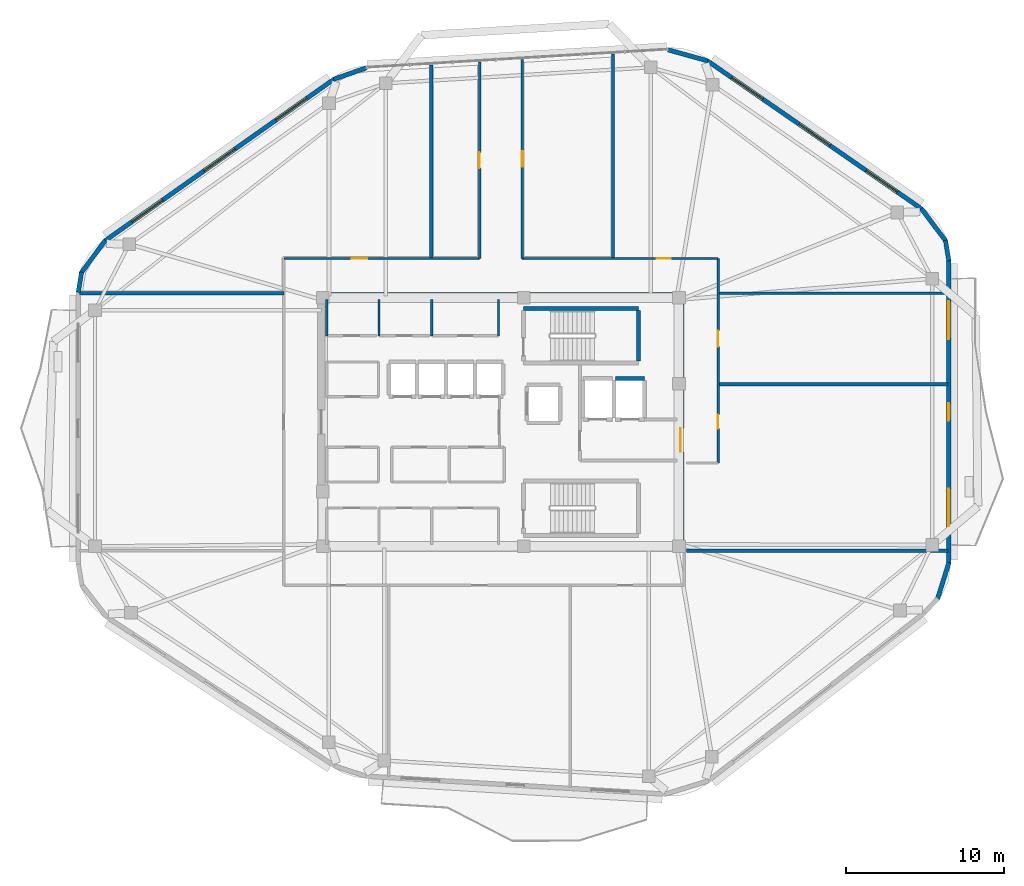
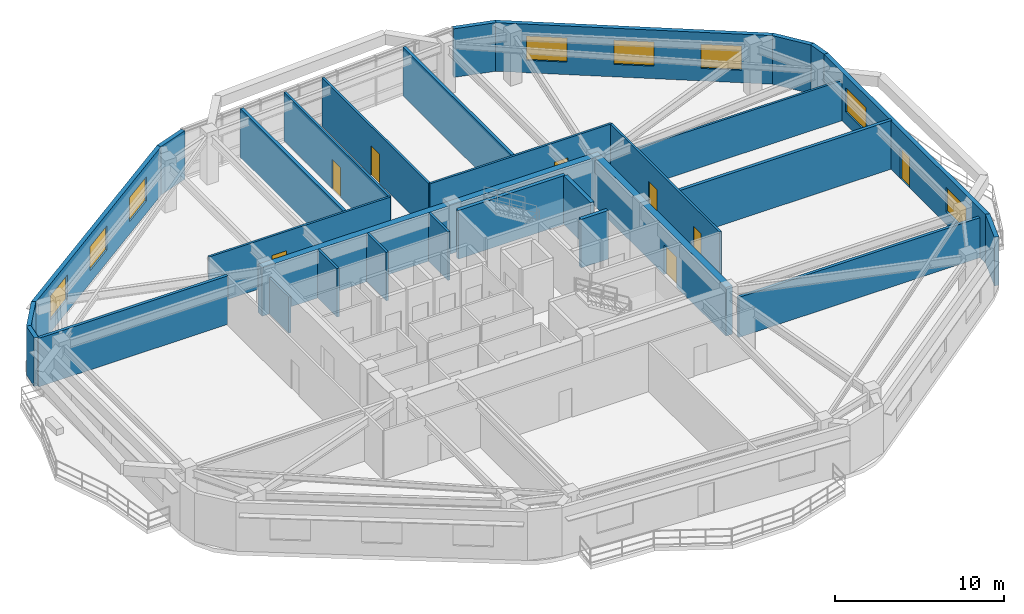
# One storey, part 8 of 12: 30 walls, 8 doors, 8 windows, 16 openings.
"""IFC4 building model written with IfcOpenShell, lengths in metres."""

from ifc_helpers import new_model, si_unit, direction, frame, frame_2d, origin, place, context, subcontext, project, spatial, rectangle, extrude, material, layer, layer_set, type_object, element, fill, save


model = new_model("IFC4")

# Units and contexts
model_context = context("Model", 3, precision=1e-05, world=origin(), true_north=direction((0.0, 1.0)))
body_context = subcontext(model_context, "Body", "Model", "MODEL_VIEW")
ifc_project = project(units=[si_unit("LENGTHUNIT", "METRE"), si_unit("AREAUNIT", "SQUARE_METRE"), si_unit("VOLUMEUNIT", "CUBIC_METRE"), si_unit("PLANEANGLEUNIT", "RADIAN"), si_unit("MASSUNIT", "GRAM", prefix="KILO")], contexts=[model_context])

# Site, building, storey
site_placement = place(None, origin())
site = spatial("IfcSite", under=ifc_project, at=site_placement, CompositionType="ELEMENT")
building_placement = place(site_placement, origin())
building = spatial("IfcBuilding", under=site, at=building_placement, Name="Zulverin Broadcast Headquarters", CompositionType="ELEMENT")
storey_placement = place(building_placement, frame((0.0, 0.0, 240.199951171875)))
storey = spatial("IfcBuildingStorey", under=building, at=storey_placement, Name="L61", CompositionType="ELEMENT", Elevation=240.199951171875)

# Walls
ifc_material_1 = material(Name="Acoustic drywall steel stud", Category="steel")
ifc_layer_1 = layer(ifc_material_1, 0.199951171875, Name="Acoustic drywall steel stud", Category="steel")
ifc_layer_set_1 = layer_set([ifc_layer_1], Name="Acoustic drywall steel stud")
wall_type_1 = type_object("IfcWallType", Name="WL-ACOU-200", PredefinedType="PARTITIONING", material=ifc_layer_set_1)
wall_1_placement = place(storey_placement, frame((44.10009765625, 35.550048828125, 0.0), z_axis=(0.0, 0.0, 1.0), x_axis=(0.0, 1.0, 0.0)))
element("IfcWall", 1, at=wall_1_placement, inside=storey, type_object=wall_type_1, Name="L61 Room Partition Wall RP-03", PredefinedType="PARTITIONING", context=body_context, shape_type="SweptSolid", body=[
    extrude(rectangle(XDim=12.95263671875, YDim=0.199951171875, at=frame_2d((6.476318359375, 0.0))), origin(), (0.0, 0.0, 1.0), 3.510009765625),
])
wall_2_placement = place(storey_placement, frame((48.739990234375, 17.050048828125, 0.0), z_axis=(0.0, 0.0, 1.0), x_axis=(1.0, 0.0, 0.0)))
element("IfcWall", 2, at=wall_2_placement, inside=storey, type_object=wall_type_1, Name="L61 Room Partition Wall RP-12", PredefinedType="PARTITIONING", context=body_context, shape_type="SweptSolid", body=[
    extrude(rectangle(XDim=16.554931640625, YDim=0.199951171875, at=frame_2d((8.27734375, 0.0))), origin(), (0.0, 0.0, 1.0), 2.892822265625),
])
wall_3_placement = place(storey_placement, frame((10.304931640625, 33.35009765625, 0.0), z_axis=(0.0, 0.0, 1.0), x_axis=(1.0, 0.0, 0.0)))
element("IfcWall", 3, at=wall_3_placement, inside=storey, type_object=wall_type_1, Name="L61 Room Partition Wall RP-15", PredefinedType="PARTITIONING", context=body_context, shape_type="SweptSolid", body=[
    extrude(rectangle(XDim=12.945068359375, YDim=0.199951171875, at=frame_2d((6.47265625, 0.0))), origin(), (0.0, 0.0, 1.0), 3.510009765625),
])
ifc_material_2 = material(Name="Double-stud acoustic drywall", Category="gypsum")
ifc_layer_2 = layer(ifc_material_2, 0.219970703125, Name="Double-stud acoustic drywall", Category="gypsum")
ifc_layer_set_2 = layer_set([ifc_layer_2], Name="Double-stud acoustic drywall")
wall_type_2 = type_object("IfcWallType", Name="WL-ACOU-220", PredefinedType="PARTITIONING", material=ifc_layer_set_2)
wall_4_placement = place(storey_placement, frame((32.60009765625, 35.550048828125, 0.0), z_axis=(0.0, 0.0, 1.0), x_axis=(0.0, 1.0, 0.0)))
element("IfcWall", 4, at=wall_4_placement, inside=storey, type_object=wall_type_2, Name="L61 Room Partition Wall RP-07", PredefinedType="PARTITIONING", context=body_context, shape_type="SweptSolid", body=[
    extrude(rectangle(XDim=12.26220703125, YDim=0.219970703125, at=frame_2d((6.131103515625, 0.0))), origin(), (0.0, 0.0, 1.0), 3.510009765625),
])
wall_5_placement = place(storey_placement, frame((50.7509765625, 27.60009765625, 0.0), z_axis=(0.0, 0.0, 1.0), x_axis=(1.0, 0.0, 0.0)))
element("IfcWall", 5, at=wall_5_placement, inside=storey, type_object=wall_type_2, Name="L61 Room Partition Wall RP-14", PredefinedType="PARTITIONING", context=body_context, shape_type="SweptSolid", body=[
    extrude(rectangle(XDim=14.5439453125, YDim=0.219970703125, at=frame_2d((7.27197265625, 0.0))), origin(), (0.0, 0.0, 1.0), 3.510009765625),
])
ifc_material_3 = material(Name="Concrete C50/60", Category="concrete")
ifc_layer_3 = layer(ifc_material_3, 0.449951171875, Name="Concrete C50/60", Category="concrete")
ifc_layer_set_3 = layer_set([ifc_layer_3], Name="Concrete C50/60")
wall_type_3 = type_object("IfcWallType", Name="WL-CORE-450", PredefinedType="SHEAR", material=ifc_layer_set_3)
wall_6_placement = place(storey_placement, frame((25.39990234375, 33.175048828125, 0.0), z_axis=(0.0, 0.0, 1.0), x_axis=(1.0, 0.0, 0.0)))
element("IfcWall", 6, at=wall_6_placement, inside=storey, type_object=wall_type_3, Name="L61 Core North Shear Wall", PredefinedType="SHEAR", context=body_context, shape_type="SweptSolid", body=[
    extrude(rectangle(XDim=23.2001953125, YDim=0.449951171875, at=frame_2d((11.60009765625, 0.0))), origin(), (0.0, 0.0, 1.0), 3.510009765625),
])

# Wall, opening, door
wall_7_placement = place(storey_placement, frame((48.375, 17.449951171875, 0.0), z_axis=(0.0, 0.0, 1.0), x_axis=(0.0, 1.0, 0.0)))
wall_7 = element("IfcWall", 7, at=wall_7_placement, inside=storey, type_object=wall_type_3, Name="L61 Core East Shear Wall", PredefinedType="SHEAR", context=body_context, shape_type="SweptSolid", body=[
    extrude(rectangle(XDim=15.5, YDim=0.449951171875, at=frame_2d((7.75, 0.0))), origin(), (0.0, 0.0, 1.0), 3.510009765625),
])
opening_1_placement = place(wall_7_placement, frame((5.85009765625, 0.0, 0.0)))
opening_1 = element("IfcOpeningElement", 8, at=opening_1_placement, cuts=wall_7, Name="Opening D-L61-CE1", PredefinedType="OPENING", context=body_context, shape_type="SweptSolid", body=[
    extrude(rectangle(XDim=1.5, YDim=2.14990234375, at=frame_2d((0.75, 1.074951171875))), frame((0.0, 0.23486328125, 0.0), z_axis=(0.0, -1.0, 0.0), x_axis=(1.0, 0.0, 0.0)), (0.0, 0.0, 1.0), 0.469970703125),
])
ifc_material_4 = material(Name="Fire-rated glazed steel frame", Category="steel")
door_type_1 = type_object("IfcDoorType", Name="DR-COR-1500", OperationType="DOUBLE_DOOR_SINGLE_SWING", PredefinedType="DOOR", material=ifc_material_4)
door_1_placement = place(opening_1_placement, origin())
door_1 = element("IfcDoor", 9, at=door_1_placement, inside=storey, type_object=door_type_1, Name="L61 Firefighting Lobby East Corridor Door", OperationType="DOUBLE_DOOR_SINGLE_SWING", OverallHeight=2.14990234375, OverallWidth=1.5, PredefinedType="DOOR", context=body_context, shape_type="SweptSolid", body=[
    extrude(rectangle(XDim=1.5, YDim=2.14990234375, at=frame_2d((0.75, 1.074951171875))), frame((0.0, 0.02490234375, 0.0), z_axis=(0.0, -1.0, 0.0), x_axis=(1.0, 0.0, 0.0)), (0.0, 0.0, 1.0), 0.050048828125),
])
fill(opening_1, door_1)

# Wall, openings, door, windows
ifc_material_5 = material(Name="Insulated pale-metal clad concrete spandrel C40/50", Category="concrete")
ifc_layer_4 = layer(ifc_material_5, 0.280029296875, Name="Insulated pale-metal clad concrete spandrel C40/50", Category="concrete")
ifc_layer_set_4 = layer_set([ifc_layer_4], Name="Insulated pale-metal clad concrete spandrel C40/50")
wall_type_4 = type_object("IfcWallType", Name="WL-EXT-280", PredefinedType="STANDARD", material=ifc_layer_set_4)
wall_8_placement = place(storey_placement, frame((65.360107421875, 16.2578125, 0.0), z_axis=(0.0, 0.0, 1.0), x_axis=(0.0, 1.0, 0.0)))
wall_8 = element("IfcWall", 10, at=wall_8_placement, inside=storey, type_object=wall_type_4, Name="L61 Pale-Metal Clad Spandrel Wall 3", PredefinedType="STANDARD", context=body_context, shape_type="SweptSolid", body=[
    extrude(rectangle(XDim=19.16796875, YDim=0.280029296875, at=frame_2d((9.583984375, 0.0))), origin(), (0.0, 0.0, 1.0), 3.510009765625),
])
opening_2_placement = place(wall_8_placement, frame((9.033935546875, 0.0, 0.0)))
opening_2 = element("IfcOpeningElement", 11, at=opening_2_placement, cuts=wall_8, Name="Opening D-L61-TR3", PredefinedType="OPENING", context=body_context, shape_type="SweptSolid", body=[
    extrude(rectangle(XDim=1.10009765625, YDim=2.199951171875, at=frame_2d((0.550048828125, 1.10009765625))), frame((0.0, 0.14990234375, 0.0), z_axis=(0.0, -1.0, 0.0), x_axis=(1.0, 0.0, 0.0)), (0.0, 0.0, 1.0), 0.300048828125),
])
opening_3_placement = place(wall_8_placement, frame((2.327880859375, 0.0, 0.89990234375)))
opening_3 = element("IfcOpeningElement", 12, at=opening_3_placement, cuts=wall_8, Name="Opening W-L61-E31", PredefinedType="OPENING", context=body_context, shape_type="SweptSolid", body=[
    extrude(rectangle(XDim=2.39990234375, YDim=1.75, at=frame_2d((1.199951171875, 0.875))), frame((0.0, 0.14990234375, 0.0), z_axis=(0.0, -1.0, 0.0), x_axis=(1.0, 0.0, 0.0)), (0.0, 0.0, 1.0), 0.300048828125),
])
opening_4_placement = place(wall_8_placement, frame((14.18994140625, 0.0, 0.89990234375)))
opening_4 = element("IfcOpeningElement", 13, at=opening_4_placement, cuts=wall_8, Name="Opening W-L61-E32", PredefinedType="OPENING", context=body_context, shape_type="SweptSolid", body=[
    extrude(rectangle(XDim=2.39990234375, YDim=1.75, at=frame_2d((1.199951171875, 0.875))), frame((0.0, 0.14990234375, 0.0), z_axis=(0.0, -1.0, 0.0), x_axis=(1.0, 0.0, 0.0)), (0.0, 0.0, 1.0), 0.300048828125),
])
ifc_material_6 = material(Name="Thermally broken aluminium glazed", Category="aluminium")
door_type_2 = type_object("IfcDoorType", Name="DR-TERR-1100", OperationType="SINGLE_SWING_RIGHT", PredefinedType="DOOR", material=ifc_material_6)
door_2_placement = place(opening_2_placement, origin())
door_2 = element("IfcDoor", 14, at=door_2_placement, inside=storey, type_object=door_type_2, Name="L61 Planted Terrace Glazed Access Door 3", OperationType="SINGLE_SWING_RIGHT", OverallHeight=2.199951171875, OverallWidth=1.10009765625, PredefinedType="DOOR", context=body_context, shape_type="SweptSolid", body=[
    extrude(rectangle(XDim=1.10009765625, YDim=2.199951171875, at=frame_2d((0.550048828125, 1.10009765625))), frame((0.0, 0.02490234375, 0.0), z_axis=(0.0, -1.0, 0.0), x_axis=(1.0, 0.0, 0.0)), (0.0, 0.0, 1.0), 0.050048828125),
])
fill(opening_2, door_2)
ifc_material_7 = material(Name="Pale anodized aluminium frame with solar-control low-E double glazing", Category="aluminium")
window_type = type_object("IfcWindowType", Name="WIN-RIB-2400", PartitioningType="SINGLE_PANEL", PredefinedType="WINDOW", material=ifc_material_7)
window_1_placement = place(opening_3_placement, origin())
window_1 = element("IfcWindow", 15, at=window_1_placement, inside=storey, type_object=window_type, Name="L61 Ribbon Glazing Window 3 1", OverallHeight=1.75, OverallWidth=2.39990234375, PartitioningType="SINGLE_PANEL", PredefinedType="WINDOW", context=body_context, shape_type="SweptSolid", body=[
    extrude(rectangle(XDim=2.39990234375, YDim=1.75, at=frame_2d((1.199951171875, 0.875))), frame((0.0, 0.030029296875, 0.0), z_axis=(0.0, -1.0, 0.0), x_axis=(1.0, 0.0, 0.0)), (0.0, 0.0, 1.0), 0.06005859375),
])
fill(opening_3, window_1)
window_2_placement = place(opening_4_placement, origin())
window_2 = element("IfcWindow", 16, at=window_2_placement, inside=storey, type_object=window_type, Name="L61 Ribbon Glazing Window 3 2", OverallHeight=1.75, OverallWidth=2.39990234375, PartitioningType="SINGLE_PANEL", PredefinedType="WINDOW", context=body_context, shape_type="SweptSolid", body=[
    extrude(rectangle(XDim=2.39990234375, YDim=1.75, at=frame_2d((1.199951171875, 0.875))), frame((0.0, 0.030029296875, 0.0), z_axis=(0.0, -1.0, 0.0), x_axis=(1.0, 0.0, 0.0)), (0.0, 0.0, 1.0), 0.06005859375),
])
fill(opening_4, window_2)

# Wall, openings, windows
wall_9_placement = place(storey_placement, frame((63.6513671875, 38.683349609375, 0.0), z_axis=(0.0, 0.0, 1.0), x_axis=(-0.822655095, 0.568540759022, 0.0)))
wall_9 = element("IfcWall", 17, at=wall_9_placement, inside=storey, type_object=wall_type_4, Name="L61 Pale-Metal Clad Spandrel Wall 4", PredefinedType="STANDARD", context=body_context, shape_type="SweptSolid", body=[
    extrude(rectangle(XDim=16.52783203125, YDim=0.280029296875, at=frame_2d((8.263916015625, 0.0))), origin(), (0.0, 0.0, 1.0), 3.510009765625),
])
opening_5_placement = place(wall_9_placement, frame((1.887939453125, 0.0, 0.89990234375)))
opening_5 = element("IfcOpeningElement", 18, at=opening_5_placement, cuts=wall_9, Name="Opening W-L61-E41", PredefinedType="OPENING", context=body_context, shape_type="SweptSolid", body=[
    extrude(rectangle(XDim=2.39990234375, YDim=1.75, at=frame_2d((1.199951171875, 0.875))), frame((0.0, 0.14990234375, 0.0), z_axis=(0.0, -1.0, 0.0), x_axis=(1.0, 0.0, 0.0)), (0.0, 0.0, 1.0), 0.300048828125),
])
opening_6_placement = place(wall_9_placement, frame((7.06396484375, 0.0, 0.89990234375)))
opening_6 = element("IfcOpeningElement", 19, at=opening_6_placement, cuts=wall_9, Name="Opening W-L61-E42", PredefinedType="OPENING", context=body_context, shape_type="SweptSolid", body=[
    extrude(rectangle(XDim=2.39990234375, YDim=1.75, at=frame_2d((1.199951171875, 0.875))), frame((0.0, 0.14990234375, 0.0), z_axis=(0.0, -1.0, 0.0), x_axis=(1.0, 0.0, 0.0)), (0.0, 0.0, 1.0), 0.300048828125),
])
opening_7_placement = place(wall_9_placement, frame((12.239990234375, 0.0, 0.89990234375)))
opening_7 = element("IfcOpeningElement", 20, at=opening_7_placement, cuts=wall_9, Name="Opening W-L61-E43", PredefinedType="OPENING", context=body_context, shape_type="SweptSolid", body=[
    extrude(rectangle(XDim=2.39990234375, YDim=1.75, at=frame_2d((1.199951171875, 0.875))), frame((0.0, 0.14990234375, 0.0), z_axis=(0.0, -1.0, 0.0), x_axis=(1.0, 0.0, 0.0)), (0.0, 0.0, 1.0), 0.300048828125),
])
window_3_placement = place(opening_5_placement, origin())
window_3 = element("IfcWindow", 21, at=window_3_placement, inside=storey, type_object=window_type, Name="L61 Ribbon Glazing Window 4 1", OverallHeight=1.75, OverallWidth=2.39990234375, PartitioningType="SINGLE_PANEL", PredefinedType="WINDOW", context=body_context, shape_type="SweptSolid", body=[
    extrude(rectangle(XDim=2.39990234375, YDim=1.75, at=frame_2d((1.199951171875, 0.875))), frame((0.0, 0.030029296875, 0.0), z_axis=(0.0, -1.0, 0.0), x_axis=(1.0, 0.0, 0.0)), (0.0, 0.0, 1.0), 0.06005859375),
])
fill(opening_5, window_3)
window_4_placement = place(opening_6_placement, origin())
window_4 = element("IfcWindow", 22, at=window_4_placement, inside=storey, type_object=window_type, Name="L61 Ribbon Glazing Window 4 2", OverallHeight=1.75, OverallWidth=2.39990234375, PartitioningType="SINGLE_PANEL", PredefinedType="WINDOW", context=body_context, shape_type="SweptSolid", body=[
    extrude(rectangle(XDim=2.39990234375, YDim=1.75, at=frame_2d((1.199951171875, 0.875))), frame((0.0, 0.030029296875, 0.0), z_axis=(0.0, -1.0, 0.0), x_axis=(1.0, 0.0, 0.0)), (0.0, 0.0, 1.0), 0.06005859375),
])
fill(opening_6, window_4)
window_5_placement = place(opening_7_placement, origin())
window_5 = element("IfcWindow", 23, at=window_5_placement, inside=storey, type_object=window_type, Name="L61 Ribbon Glazing Window 4 3", OverallHeight=1.75, OverallWidth=2.39990234375, PartitioningType="SINGLE_PANEL", PredefinedType="WINDOW", context=body_context, shape_type="SweptSolid", body=[
    extrude(rectangle(XDim=2.39990234375, YDim=1.75, at=frame_2d((1.199951171875, 0.875))), frame((0.0, 0.030029296875, 0.0), z_axis=(0.0, -1.0, 0.0), x_axis=(1.0, 0.0, 0.0)), (0.0, 0.0, 1.0), 0.06005859375),
])
fill(opening_7, window_5)

wall_10_placement = place(storey_placement, frame((26.443115234375, 46.91259765625, 0.0), z_axis=(0.0, 0.0, 1.0), x_axis=(-0.817024179766, -0.576603407619, 0.0)))
wall_10 = element("IfcWall", 24, at=wall_10_placement, inside=storey, type_object=wall_type_4, Name="L61 Pale-Metal Clad Spandrel Wall 6", PredefinedType="STANDARD", context=body_context, shape_type="SweptSolid", body=[
    extrude(rectangle(XDim=17.77978515625, YDim=0.280029296875, at=frame_2d((8.889892578125, 0.0))), origin(), (0.0, 0.0, 1.0), 3.510009765625),
])
opening_8_placement = place(wall_10_placement, frame((2.0966796875, 0.0, 0.89990234375)))
opening_8 = element("IfcOpeningElement", 25, at=opening_8_placement, cuts=wall_10, Name="Opening W-L61-E61", PredefinedType="OPENING", context=body_context, shape_type="SweptSolid", body=[
    extrude(rectangle(XDim=2.39990234375, YDim=1.75, at=frame_2d((1.199951171875, 0.875))), frame((0.0, 0.14990234375, 0.0), z_axis=(0.0, -1.0, 0.0), x_axis=(1.0, 0.0, 0.0)), (0.0, 0.0, 1.0), 0.300048828125),
])
opening_9_placement = place(wall_10_placement, frame((7.68994140625, 0.0, 0.89990234375)))
opening_9 = element("IfcOpeningElement", 26, at=opening_9_placement, cuts=wall_10, Name="Opening W-L61-E62", PredefinedType="OPENING", context=body_context, shape_type="SweptSolid", body=[
    extrude(rectangle(XDim=2.39990234375, YDim=1.75, at=frame_2d((1.199951171875, 0.875))), frame((0.0, 0.14990234375, 0.0), z_axis=(0.0, -1.0, 0.0), x_axis=(1.0, 0.0, 0.0)), (0.0, 0.0, 1.0), 0.300048828125),
])
opening_10_placement = place(wall_10_placement, frame((13.283203125, 0.0, 0.89990234375)))
opening_10 = element("IfcOpeningElement", 27, at=opening_10_placement, cuts=wall_10, Name="Opening W-L61-E63", PredefinedType="OPENING", context=body_context, shape_type="SweptSolid", body=[
    extrude(rectangle(XDim=2.39990234375, YDim=1.75, at=frame_2d((1.199951171875, 0.875))), frame((0.0, 0.14990234375, 0.0), z_axis=(0.0, -1.0, 0.0), x_axis=(1.0, 0.0, 0.0)), (0.0, 0.0, 1.0), 0.300048828125),
])
window_6_placement = place(opening_8_placement, origin())
window_6 = element("IfcWindow", 28, at=window_6_placement, inside=storey, type_object=window_type, Name="L61 Ribbon Glazing Window 6 1", OverallHeight=1.75, OverallWidth=2.39990234375, PartitioningType="SINGLE_PANEL", PredefinedType="WINDOW", context=body_context, shape_type="SweptSolid", body=[
    extrude(rectangle(XDim=2.39990234375, YDim=1.75, at=frame_2d((1.199951171875, 0.875))), frame((0.0, 0.030029296875, 0.0), z_axis=(0.0, -1.0, 0.0), x_axis=(1.0, 0.0, 0.0)), (0.0, 0.0, 1.0), 0.06005859375),
])
fill(opening_8, window_6)
window_7_placement = place(opening_9_placement, origin())
window_7 = element("IfcWindow", 29, at=window_7_placement, inside=storey, type_object=window_type, Name="L61 Ribbon Glazing Window 6 2", OverallHeight=1.75, OverallWidth=2.39990234375, PartitioningType="SINGLE_PANEL", PredefinedType="WINDOW", context=body_context, shape_type="SweptSolid", body=[
    extrude(rectangle(XDim=2.39990234375, YDim=1.75, at=frame_2d((1.199951171875, 0.875))), frame((0.0, 0.030029296875, 0.0), z_axis=(0.0, -1.0, 0.0), x_axis=(1.0, 0.0, 0.0)), (0.0, 0.0, 1.0), 0.06005859375),
])
fill(opening_9, window_7)
window_8_placement = place(opening_10_placement, origin())
window_8 = element("IfcWindow", 30, at=window_8_placement, inside=storey, type_object=window_type, Name="L61 Ribbon Glazing Window 6 3", OverallHeight=1.75, OverallWidth=2.39990234375, PartitioningType="SINGLE_PANEL", PredefinedType="WINDOW", context=body_context, shape_type="SweptSolid", body=[
    extrude(rectangle(XDim=2.39990234375, YDim=1.75, at=frame_2d((1.199951171875, 0.875))), frame((0.0, 0.030029296875, 0.0), z_axis=(0.0, -1.0, 0.0), x_axis=(1.0, 0.0, 0.0)), (0.0, 0.0, 1.0), 0.06005859375),
])
fill(opening_10, window_8)

# Walls
wall_11_placement = place(storey_placement, frame((64.635009765625, 13.962158203125, 0.0), z_axis=(0.0, 0.0, 1.0), x_axis=(0.298649578722, 0.954362839348, 0.0)))
element("IfcWall", 31, at=wall_11_placement, inside=storey, type_object=wall_type_4, Name="L61 Wind-Shaped Corner Spandrel Wall 2-2", PredefinedType="STANDARD", context=body_context, shape_type="SweptSolid", body=[
    extrude(rectangle(XDim=2.44921875, YDim=0.280029296875, at=frame_2d((1.224609375, 0.0))), origin(), (0.0, 0.0, 1.0), 3.510009765625),
])
wall_12_placement = place(storey_placement, frame((65.36181640625, 35.4033203125, 0.0), z_axis=(0.0, 0.0, 1.0), x_axis=(-0.160271674114, 0.987072940809, 0.0)))
element("IfcWall", 32, at=wall_12_placement, inside=storey, type_object=wall_type_4, Name="L61 Wind-Shaped Corner Spandrel Wall 3-1", PredefinedType="STANDARD", context=body_context, shape_type="SweptSolid", body=[
    extrude(rectangle(XDim=1.314697265625, YDim=0.280029296875, at=frame_2d((0.6572265625, 0.0))), origin(), (0.0, 0.0, 1.0), 3.510009765625),
])
wall_13_placement = place(storey_placement, frame((65.17724609375, 36.63916015625, 0.0), z_axis=(0.0, 0.0, 1.0), x_axis=(-0.600436386467, 0.799672524104, 0.0)))
element("IfcWall", 33, at=wall_13_placement, inside=storey, type_object=wall_type_4, Name="L61 Wind-Shaped Corner Spandrel Wall 3-2", PredefinedType="STANDARD", context=body_context, shape_type="SweptSolid", body=[
    extrude(rectangle(XDim=2.595458984375, YDim=0.280029296875, at=frame_2d((1.2978515625, 0.0))), origin(), (0.0, 0.0, 1.0), 3.510009765625),
])
wall_14_placement = place(storey_placement, frame((50.096435546875, 48.060546875, 0.0), z_axis=(0.0, 0.0, 1.0), x_axis=(-0.963120241504, 0.269071366751, 0.0)))
element("IfcWall", 34, at=wall_14_placement, inside=storey, type_object=wall_type_4, Name="L61 Wind-Shaped Corner Spandrel Wall 4-1", PredefinedType="STANDARD", context=body_context, shape_type="SweptSolid", body=[
    extrude(rectangle(XDim=2.6103515625, YDim=0.280029296875, at=frame_2d((1.30517578125, 0.0))), origin(), (0.0, 0.0, 1.0), 3.510009765625),
])
wall_15_placement = place(storey_placement, frame((28.4658203125, 47.6162109375, 0.0), z_axis=(0.0, 0.0, 1.0), x_axis=(-0.94368711622, -0.330839276206, 0.0)))
element("IfcWall", 35, at=wall_15_placement, inside=storey, type_object=wall_type_4, Name="L61 Wind-Shaped Corner Spandrel Wall 5-1", PredefinedType="STANDARD", context=body_context, shape_type="SweptSolid", body=[
    extrude(rectangle(XDim=2.179931640625, YDim=0.280029296875, at=frame_2d((1.08984375, 0.0))), origin(), (0.0, 0.0, 1.0), 3.510009765625),
])
wall_16_placement = place(storey_placement, frame((11.948486328125, 36.69189453125, 0.0), z_axis=(0.0, 0.0, 1.0), x_axis=(-0.595170751493, -0.803599263668, 0.0)))
element("IfcWall", 36, at=wall_16_placement, inside=storey, type_object=wall_type_4, Name="L61 Wind-Shaped Corner Spandrel Wall 6-1", PredefinedType="STANDARD", context=body_context, shape_type="SweptSolid", body=[
    extrude(rectangle(XDim=2.56982421875, YDim=0.280029296875, at=frame_2d((1.284912109375, 0.0))), origin(), (0.0, 0.0, 1.0), 3.510009765625),
])
wall_17_placement = place(storey_placement, frame((10.444580078125, 34.68798828125, 0.0), z_axis=(0.0, 0.0, 1.0), x_axis=(-0.158524605336, -0.987355027081, 0.0)))
element("IfcWall", 37, at=wall_17_placement, inside=storey, type_object=wall_type_4, Name="L61 Wind-Shaped Corner Spandrel Wall 6-2", PredefinedType="STANDARD", context=body_context, shape_type="SweptSolid", body=[
    extrude(rectangle(XDim=1.30126953125, YDim=0.280029296875, at=frame_2d((0.650634765625, 0.0))), origin(), (0.0, 0.0, 1.0), 3.510009765625),
])
ifc_material_8 = material(Name="Fire-rated gypsum stud partition", Category="gypsum")
ifc_layer_5 = layer(ifc_material_8, 0.14990234375, Name="Fire-rated gypsum stud partition", Category="gypsum")
ifc_layer_set_5 = layer_set([ifc_layer_5], Name="Fire-rated gypsum stud partition")
wall_type_5 = type_object("IfcWallType", Name="WL-PART-150", PredefinedType="PARTITIONING", material=ifc_layer_set_5)
wall_18_placement = place(storey_placement, frame((25.969970703125, 30.64990234375, 0.0), z_axis=(0.0, 0.0, 1.0), x_axis=(0.0, 1.0, 0.0)))
element("IfcWall", 38, at=wall_18_placement, inside=storey, type_object=wall_type_5, Name="L61 Core Male WC West Wall", PredefinedType="PARTITIONING", context=body_context, shape_type="SweptSolid", body=[
    extrude(rectangle(XDim=2.300048828125, YDim=0.14990234375, at=frame_2d((1.14990234375, 0.0))), origin(), (0.0, 0.0, 1.0), 2.610107421875),
])
for number, where, z_axis, x_axis, name in (
    (39, (29.280029296875, 30.64990234375, 0.0), (0.0, 0.0, 1.0), (0.0, 1.0, 0.0), "L61 Core Accessible WC West Wall"),
    (40, (32.6298828125, 30.64990234375, 0.0), (0.0, 0.0, 1.0), (0.0, 1.0, 0.0), "L61 Core Electrical Distribution Riser West Wall"),
    (41, (36.85009765625, 30.64990234375, 0.0), (0.0, 0.0, 1.0), (0.0, 1.0, 0.0), "L61 Core Electrical Distribution Riser East Wall"),
):
    element("IfcWall", number, at=place(storey_placement, frame(where, z_axis=z_axis, x_axis=x_axis)), inside=storey, type_object=wall_type_5, Name=name, PredefinedType="PARTITIONING", context=body_context, shape_type="SweptSolid", body=[
        extrude(rectangle(XDim=2.300048828125, YDim=0.14990234375, at=frame_2d((1.14990234375, 0.0))), origin(), (0.0, 0.0, 1.0), 3.510009765625),
    ])

# Wall, openings, doors
wall_19_placement = place(storey_placement, frame((50.75, 22.60009765625, 0.0), z_axis=(0.0, 0.0, 1.0), x_axis=(0.0, 1.0, 0.0)))
wall_19 = element("IfcWall", 42, at=wall_19_placement, inside=storey, type_object=wall_type_5, Name="L61 Gallery Partition Wall CG-01", PredefinedType="PARTITIONING", context=body_context, shape_type="SweptSolid", body=[
    extrude(rectangle(XDim=12.949951171875, YDim=0.14990234375, at=frame_2d((6.47509765625, 0.0))), origin(), (0.0, 0.0, 1.0), 3.510009765625),
])
opening_11_placement = place(wall_19_placement, frame((2.169921875, 0.0, 0.0)))
opening_11 = element("IfcOpeningElement", 43, at=opening_11_placement, cuts=wall_19, Name="Opening D-L61-09", PredefinedType="OPENING", context=body_context, shape_type="SweptSolid", body=[
    extrude(rectangle(XDim=0.89990234375, YDim=2.10009765625, at=frame_2d((0.449951171875, 1.050048828125))), frame((0.0, 0.0849609375, 0.0), z_axis=(0.0, -1.0, 0.0), x_axis=(1.0, 0.0, 0.0)), (0.0, 0.0, 1.0), 0.169921875),
])
opening_12_placement = place(wall_19_placement, frame((7.375, 0.0, 0.0)))
opening_12 = element("IfcOpeningElement", 44, at=opening_12_placement, cuts=wall_19, Name="Opening D-L61-10", PredefinedType="OPENING", context=body_context, shape_type="SweptSolid", body=[
    extrude(rectangle(XDim=1.0, YDim=2.1201171875, at=frame_2d((0.5, 1.06005859375))), frame((0.0, 0.0849609375, 0.0), z_axis=(0.0, -1.0, 0.0), x_axis=(1.0, 0.0, 0.0)), (0.0, 0.0, 1.0), 0.169921875),
])
ifc_material_9 = material(Name="Hardwood veneer acoustic leaf", Category="wood")
door_type_3 = type_object("IfcDoorType", Name="DR-OFF-1000", OperationType="SINGLE_SWING_LEFT", PredefinedType="DOOR", material=ifc_material_9)
door_3_placement = place(opening_12_placement, origin())
door_3 = element("IfcDoor", 45, at=door_3_placement, inside=storey, type_object=door_type_3, Name="L61 Creative Development Workplace Door", OperationType="SINGLE_SWING_LEFT", OverallHeight=2.1201171875, OverallWidth=1.0, PredefinedType="DOOR", context=body_context, shape_type="SweptSolid", body=[
    extrude(rectangle(XDim=1.0, YDim=2.1201171875, at=frame_2d((0.5, 1.06005859375))), frame((0.0, 0.02490234375, 0.0), z_axis=(0.0, -1.0, 0.0), x_axis=(1.0, 0.0, 0.0)), (0.0, 0.0, 1.0), 0.050048828125),
])
fill(opening_12, door_3)
ifc_material_10 = material(Name="Fire-rated hardwood veneer timber leaf", Category="wood")
door_type_4 = type_object("IfcDoorType", Name="DR-ROOM-900", OperationType="SINGLE_SWING_RIGHT", PredefinedType="DOOR", material=ifc_material_10)
door_4_placement = place(opening_11_placement, origin())
door_4 = element("IfcDoor", 46, at=door_4_placement, inside=storey, type_object=door_type_4, Name="L61 Tea Pantry Door", OperationType="SINGLE_SWING_RIGHT", OverallHeight=2.10009765625, OverallWidth=0.89990234375, PredefinedType="DOOR", context=body_context, shape_type="SweptSolid", body=[
    extrude(rectangle(XDim=0.89990234375, YDim=2.10009765625, at=frame_2d((0.449951171875, 1.050048828125))), frame((0.0, 0.02490234375, 0.0), z_axis=(0.0, -1.0, 0.0), x_axis=(1.0, 0.0, 0.0)), (0.0, 0.0, 1.0), 0.050048828125),
])
fill(opening_11, door_4)

# Wall, opening, door
wall_20_placement = place(storey_placement, frame((38.35009765625, 35.550048828125, 0.0), z_axis=(0.0, 0.0, 1.0), x_axis=(0.0, 1.0, 0.0)))
wall_20 = element("IfcWall", 47, at=wall_20_placement, inside=storey, type_object=wall_type_5, Name="L61 Gallery Partition Wall CG-05", PredefinedType="PARTITIONING", context=body_context, shape_type="SweptSolid", body=[
    extrude(rectangle(XDim=12.607421875, YDim=0.14990234375, at=frame_2d((6.3037109375, 0.0))), origin(), (0.0, 0.0, 1.0), 3.510009765625),
])
opening_13_placement = place(wall_20_placement, frame((5.8037109375, 0.0, 0.0)))
opening_13 = element("IfcOpeningElement", 48, at=opening_13_placement, cuts=wall_20, Name="Opening D-L61-03", PredefinedType="OPENING", context=body_context, shape_type="SweptSolid", body=[
    extrude(rectangle(XDim=1.0, YDim=2.1201171875, at=frame_2d((0.5, 1.06005859375))), frame((0.0, 0.0849609375, 0.0), z_axis=(0.0, -1.0, 0.0), x_axis=(1.0, 0.0, 0.0)), (0.0, 0.0, 1.0), 0.169921875),
])
door_5_placement = place(opening_13_placement, origin())
door_5 = element("IfcDoor", 49, at=door_5_placement, inside=storey, type_object=door_type_3, Name="L61 Casting Office Door", OperationType="SINGLE_SWING_RIGHT", OverallHeight=2.1201171875, OverallWidth=1.0, PredefinedType="DOOR", context=body_context, shape_type="SweptSolid", body=[
    extrude(rectangle(XDim=1.0, YDim=2.1201171875, at=frame_2d((0.5, 1.06005859375))), frame((0.0, 0.02490234375, 0.0), z_axis=(0.0, -1.0, 0.0), x_axis=(1.0, 0.0, 0.0)), (0.0, 0.0, 1.0), 0.050048828125),
])
fill(opening_13, door_5)

wall_21_placement = place(storey_placement, frame((35.64990234375, 35.550048828125, 0.0), z_axis=(0.0, 0.0, 1.0), x_axis=(0.0, 1.0, 0.0)))
wall_21 = element("IfcWall", 50, at=wall_21_placement, inside=storey, type_object=wall_type_5, Name="L61 Gallery Partition Wall CG-06", PredefinedType="PARTITIONING", context=body_context, shape_type="SweptSolid", body=[
    extrude(rectangle(XDim=12.4453125, YDim=0.14990234375, at=frame_2d((6.22265625, 0.0))), origin(), (0.0, 0.0, 1.0), 3.510009765625),
])
opening_14_placement = place(wall_21_placement, frame((5.72265625, 0.0, 0.0)))
opening_14 = element("IfcOpeningElement", 51, at=opening_14_placement, cuts=wall_21, Name="Opening D-L61-02", PredefinedType="OPENING", context=body_context, shape_type="SweptSolid", body=[
    extrude(rectangle(XDim=1.0, YDim=2.1201171875, at=frame_2d((0.5, 1.06005859375))), frame((0.0, 0.0849609375, 0.0), z_axis=(0.0, -1.0, 0.0), x_axis=(1.0, 0.0, 0.0)), (0.0, 0.0, 1.0), 0.169921875),
])
door_6_placement = place(opening_14_placement, origin())
door_6 = element("IfcDoor", 52, at=door_6_placement, inside=storey, type_object=door_type_3, Name="L61 Scriptwriting Office Door", OperationType="SINGLE_SWING_LEFT", OverallHeight=2.1201171875, OverallWidth=1.0, PredefinedType="DOOR", context=body_context, shape_type="SweptSolid", body=[
    extrude(rectangle(XDim=1.0, YDim=2.1201171875, at=frame_2d((0.5, 1.06005859375))), frame((0.0, 0.02490234375, 0.0), z_axis=(0.0, -1.0, 0.0), x_axis=(1.0, 0.0, 0.0)), (0.0, 0.0, 1.0), 0.050048828125),
])
fill(opening_14, door_6)

# Wall
wall_22_placement = place(storey_placement, frame((50.75, 33.35009765625, 0.0), z_axis=(0.0, 0.0, 1.0), x_axis=(1.0, 0.0, 0.0)))
element("IfcWall", 53, at=wall_22_placement, inside=storey, type_object=wall_type_5, Name="L61 Room Partition Wall RP-16", PredefinedType="PARTITIONING", context=body_context, shape_type="SweptSolid", body=[
    extrude(rectangle(XDim=14.544921875, YDim=0.14990234375, at=frame_2d((7.2724609375, 0.0))), origin(), (0.0, 0.0, 1.0), 2.892822265625),
])

# Wall, opening, door
wall_23_placement = place(storey_placement, frame((23.25, 35.550048828125, 0.0), z_axis=(0.0, 0.0, 1.0), x_axis=(1.0, 0.0, 0.0)))
wall_23 = element("IfcWall", 54, at=wall_23_placement, inside=storey, type_object=wall_type_5, Name="L61 Gallery Partition Wall CG-17", PredefinedType="PARTITIONING", context=body_context, shape_type="SweptSolid", body=[
    extrude(rectangle(XDim=12.39990234375, YDim=0.14990234375, at=frame_2d((6.199951171875, 0.0))), origin(), (0.0, 0.0, 1.0), 3.510009765625),
])
opening_15_placement = place(wall_23_placement, frame((4.294921875, 0.0, 0.0)))
opening_15 = element("IfcOpeningElement", 55, at=opening_15_placement, cuts=wall_23, Name="Opening D-L61-01", PredefinedType="OPENING", context=body_context, shape_type="SweptSolid", body=[
    extrude(rectangle(XDim=1.0, YDim=2.1201171875, at=frame_2d((0.5, 1.06005859375))), frame((0.0, 0.0849609375, 0.0), z_axis=(0.0, -1.0, 0.0), x_axis=(1.0, 0.0, 0.0)), (0.0, 0.0, 1.0), 0.169921875),
])
door_7_placement = place(opening_15_placement, origin())
door_7 = element("IfcDoor", 56, at=door_7_placement, inside=storey, type_object=door_type_3, Name="L61 Creative Development Workplace Door", OperationType="SINGLE_SWING_RIGHT", OverallHeight=2.1201171875, OverallWidth=1.0, PredefinedType="DOOR", context=body_context, shape_type="SweptSolid", body=[
    extrude(rectangle(XDim=1.0, YDim=2.1201171875, at=frame_2d((0.5, 1.06005859375))), frame((0.0, 0.02490234375, 0.0), z_axis=(0.0, -1.0, 0.0), x_axis=(1.0, 0.0, 0.0)), (0.0, 0.0, 1.0), 0.050048828125),
])
fill(opening_15, door_7)

wall_24_placement = place(storey_placement, frame((38.35009765625, 35.550048828125, 0.0), z_axis=(0.0, 0.0, 1.0), x_axis=(1.0, 0.0, 0.0)))
wall_24 = element("IfcWall", 57, at=wall_24_placement, inside=storey, type_object=wall_type_5, Name="L61 Gallery Partition Wall CG-18", PredefinedType="PARTITIONING", context=body_context, shape_type="SweptSolid", body=[
    extrude(rectangle(XDim=12.39990234375, YDim=0.14990234375, at=frame_2d((6.199951171875, 0.0))), origin(), (0.0, 0.0, 1.0), 3.510009765625),
])
opening_16_placement = place(wall_24_placement, frame((8.5048828125, 0.0, 0.0)))
opening_16 = element("IfcOpeningElement", 58, at=opening_16_placement, cuts=wall_24, Name="Opening D-L61-04", PredefinedType="OPENING", context=body_context, shape_type="SweptSolid", body=[
    extrude(rectangle(XDim=0.89990234375, YDim=2.10009765625, at=frame_2d((0.449951171875, 1.050048828125))), frame((0.0, 0.0849609375, 0.0), z_axis=(0.0, -1.0, 0.0), x_axis=(1.0, 0.0, 0.0)), (0.0, 0.0, 1.0), 0.169921875),
])
door_8_placement = place(opening_16_placement, origin())
door_8 = element("IfcDoor", 59, at=door_8_placement, inside=storey, type_object=door_type_4, Name="L61 Script Review Room Door", OperationType="SINGLE_SWING_LEFT", OverallHeight=2.10009765625, OverallWidth=0.89990234375, PredefinedType="DOOR", context=body_context, shape_type="SweptSolid", body=[
    extrude(rectangle(XDim=0.89990234375, YDim=2.10009765625, at=frame_2d((0.449951171875, 1.050048828125))), frame((0.0, 0.02490234375, 0.0), z_axis=(0.0, -1.0, 0.0), x_axis=(1.0, 0.0, 0.0)), (0.0, 0.0, 1.0), 0.050048828125),
])
fill(opening_16, door_8)

# Walls
ifc_layer_6 = layer(ifc_material_3, 0.25, Name="Concrete C50/60", Category="concrete")
ifc_layer_set_6 = layer_set([ifc_layer_6], Name="Concrete C50/60")
wall_type_6 = type_object("IfcWallType", Name="WL-SHAFT-250", PredefinedType="SHEAR", material=ifc_layer_set_6)
wall_25_placement = place(storey_placement, frame((38.425048828125, 32.375, 0.0), z_axis=(0.0, 0.0, 1.0), x_axis=(1.0, 0.0, 0.0)))
element("IfcWall", 60, at=wall_25_placement, inside=storey, type_object=wall_type_6, Name="L61 ST-1 Enclosure Wall N", PredefinedType="SHEAR", context=body_context, shape_type="SweptSolid", body=[
    extrude(rectangle(XDim=7.300048828125, YDim=0.25, at=frame_2d((3.64990234375, 0.0))), origin(), (0.0, 0.0, 1.0), 3.510009765625),
])
wall_26_placement = place(storey_placement, frame((45.72509765625, 29.050048828125, 0.0), z_axis=(0.0, 0.0, 1.0), x_axis=(0.0, 1.0, 0.0)))
element("IfcWall", 61, at=wall_26_placement, inside=storey, type_object=wall_type_6, Name="L61 ST-1 Enclosure Wall E", PredefinedType="SHEAR", context=body_context, shape_type="SweptSolid", body=[
    extrude(rectangle(XDim=3.199951171875, YDim=0.25, at=frame_2d((1.60009765625, 0.0))), origin(), (0.0, 0.0, 1.0), 3.510009765625),
])
wall_27_placement = place(storey_placement, frame((44.25, 27.949951171875, 0.0), z_axis=(0.0, 0.0, 1.0), x_axis=(1.0, 0.0, 0.0)))
element("IfcWall", 62, at=wall_27_placement, inside=storey, type_object=wall_type_6, Name="L61 Lift FFL-2 Shaft Wall N", PredefinedType="SHEAR", context=body_context, shape_type="SweptSolid", body=[
    extrude(rectangle(XDim=1.85009765625, YDim=0.25, at=frame_2d((0.925048828125, 0.0))), origin(), (0.0, 0.0, 1.0), 3.510009765625),
])

save(model, "model.ifc")
